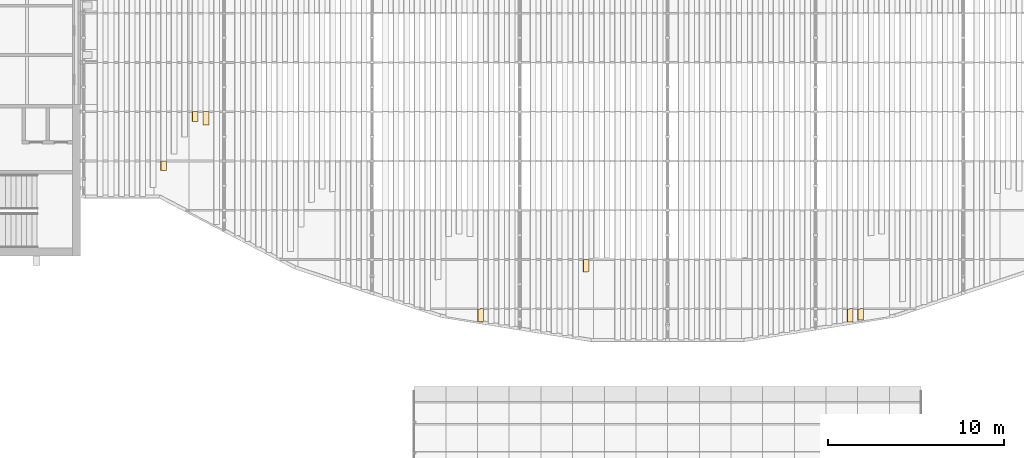
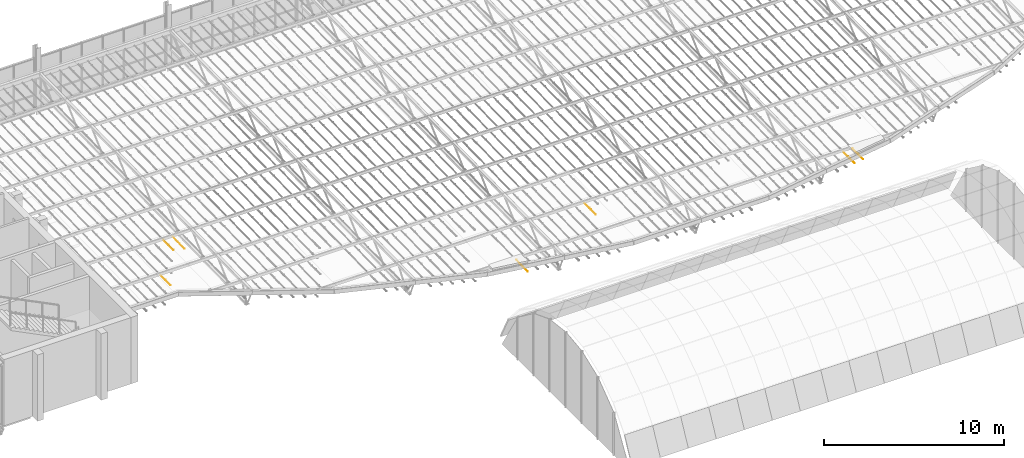
# One storey, part 128 of 129: 7 coverings.
"""IFC4 building model written with IfcOpenShell, lengths in metres."""

from ifc_helpers import new_model, si_unit, direction, frame, origin, place, context, subcontext, project, spatial, polyline, outline, extrude, material, material_profile, profile_set, type_object, element, save


model = new_model("IFC4")

# Units and contexts
model_context = context("Model", 3, precision=1e-05, world=origin(), true_north=direction((0.0, 1.0)))
body_context = subcontext(model_context, "Body", "Model", "MODEL_VIEW")
ifc_project = project(units=[si_unit("LENGTHUNIT", "METRE"), si_unit("AREAUNIT", "SQUARE_METRE"), si_unit("VOLUMEUNIT", "CUBIC_METRE"), si_unit("PLANEANGLEUNIT", "RADIAN"), si_unit("MASSUNIT", "GRAM", prefix="KILO")], contexts=[model_context])

# Site, building, storey
site_placement = place(None, origin())
site = spatial("IfcSite", under=ifc_project, at=site_placement, CompositionType="ELEMENT")
building_placement = place(site_placement, origin())
building = spatial("IfcBuilding", under=site, at=building_placement, Name="Ardhachandra Cancer Care Centre", CompositionType="ELEMENT")
storey_placement = place(building_placement, frame((0.0, 0.0, 4.5)))
storey = spatial("IfcBuildingStorey", under=building, at=storey_placement, Name="L01", CompositionType="ELEMENT", Elevation=4.5)

# Coverings
ifc_material = material(Name="Anodised aluminium", Category="aluminium")
ifc_material_profile = material_profile(ifc_material, outline(polyline([(-0.01220703125, 0.0), (0.01220703125, 0.0), (0.327392578125, -0.449951171875), (0.302978515625, -0.449951171875), (-0.01220703125, 0.0)])), Name="Louvre fin 450")
ifc_profile_set = profile_set([ifc_material_profile], Name="Anodised aluminium")
covering_type = type_object("IfcCoveringType", Name="Louvre fin 450", PredefinedType="CLADDING", material=ifc_profile_set)
for number, where, z_axis, x_axis, name in (
    (1, (49.199951171875, 34.574951171875, 2.3515625), (0.0, -0.99980059193, -0.019969385991), (1.0, 0.0, 0.0), "Louvre fin 8-8"),
    (2, (51.0, 37.375, 2.407470703125), (0.0, -0.99980059193, -0.019969385991), (1.0, 0.0, 0.0), "Louvre fin 11-7"),
):
    element("IfcCovering", number, at=place(storey_placement, frame(where, z_axis=z_axis, x_axis=x_axis)), inside=storey, type_object=covering_type, Name=name, PredefinedType="CLADDING", context=body_context, shape_type="SweptSolid", body=[
        extrude(outline(polyline([(-0.01220703125, 0.0), (0.01220703125, 0.0), (0.327392578125, -0.449951171875), (0.302978515625, -0.449951171875), (-0.01220703125, 0.0)])), origin(), (0.0, 0.0, 1.0), 0.550048828125),
    ])
covering_1_placement = place(storey_placement, frame((51.60009765625, 37.375, 2.407470703125), z_axis=(0.0, -0.999802912607, -0.019852857314), x_axis=(1.0, 0.0, 0.0)))
element("IfcCovering", 3, at=covering_1_placement, inside=storey, type_object=covering_type, Name="Louvre fin 12-7", PredefinedType="CLADDING", context=body_context, shape_type="SweptSolid", body=[
    extrude(outline(polyline([(-0.01220703125, 0.0), (0.01220703125, 0.0), (0.327392578125, -0.449951171875), (0.302978515625, -0.449951171875), (-0.01220703125, 0.0)])), origin(), (0.0, 0.0, 1.0), 0.750244140625),
])
covering_2_placement = place(storey_placement, frame((67.199951171875, 26.175048828125, 2.18359375), z_axis=(0.0, -0.999800193167, -0.01998934075), x_axis=(1.0, 0.0, 0.0)))
element("IfcCovering", 4, at=covering_2_placement, inside=storey, type_object=covering_type, Name="Louvre fin 38-11", PredefinedType="CLADDING", context=body_context, shape_type="SweptSolid", body=[
    extrude(outline(polyline([(-0.01220703125, 0.0), (0.01220703125, 0.0), (0.327392578125, -0.449951171875), (0.302978515625, -0.449951171875), (-0.01220703125, 0.0)])), origin(), (0.0, 0.0, 1.0), 0.73291015625),
])
covering_3_placement = place(storey_placement, frame((73.199951171875, 28.97509765625, 2.239501953125), z_axis=(0.0, -0.999802561071, -0.019870552992), x_axis=(1.0, 0.0, 0.0)))
element("IfcCovering", 5, at=covering_3_placement, inside=storey, type_object=covering_type, Name="Louvre fin 48-10", PredefinedType="CLADDING", context=body_context, shape_type="SweptSolid", body=[
    extrude(outline(polyline([(-0.01220703125, 0.0), (0.01220703125, 0.0), (0.327392578125, -0.449951171875), (0.302978515625, -0.449951171875), (-0.01220703125, 0.0)])), origin(), (0.0, 0.0, 1.0), 0.700439453125),
])
covering_4_placement = place(storey_placement, frame((88.199951171875, 26.175048828125, 2.18359375), z_axis=(0.0, -0.999796399748, -0.020178182547), x_axis=(1.0, 0.0, 0.0)))
element("IfcCovering", 6, at=covering_4_placement, inside=storey, type_object=covering_type, Name="Louvre fin 73-11", PredefinedType="CLADDING", context=body_context, shape_type="SweptSolid", body=[
    extrude(outline(polyline([(-0.01220703125, 0.0), (0.01220703125, 0.0), (0.327392578125, -0.449951171875), (0.302978515625, -0.449951171875), (-0.01220703125, 0.0)])), origin(), (0.0, 0.0, 1.0), 0.750244140625),
])
covering_5_placement = place(storey_placement, frame((88.800048828125, 26.175048828125, 2.18359375), z_axis=(0.0, -0.999794467132, -0.020273714317), x_axis=(1.0, 0.0, 0.0)))
element("IfcCovering", 7, at=covering_5_placement, inside=storey, type_object=covering_type, Name="Louvre fin 74-11", PredefinedType="CLADDING", context=body_context, shape_type="SweptSolid", body=[
    extrude(outline(polyline([(-0.01220703125, 0.0), (0.01220703125, 0.0), (0.327392578125, -0.449951171875), (0.302978515625, -0.449951171875), (-0.01220703125, 0.0)])), origin(), (0.0, 0.0, 1.0), 0.650390625),
])

save(model, "model.ifc")
